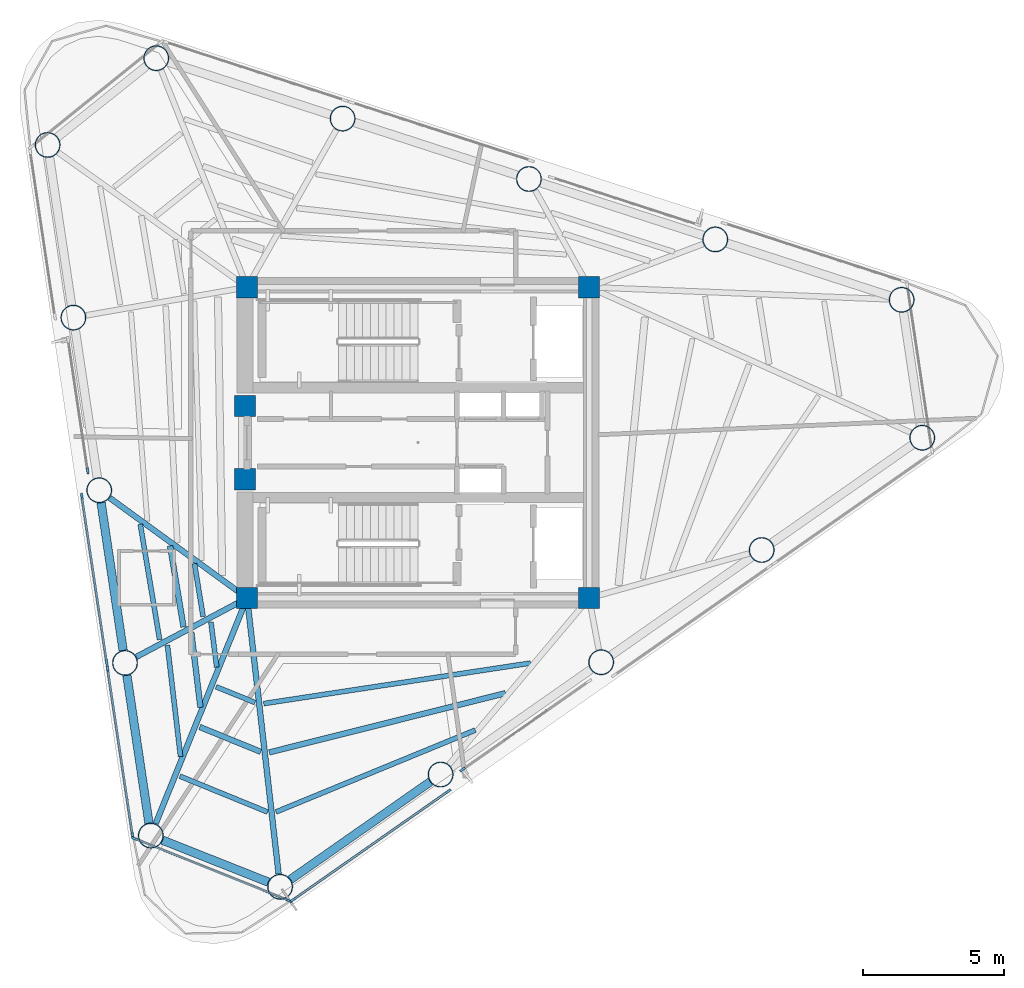
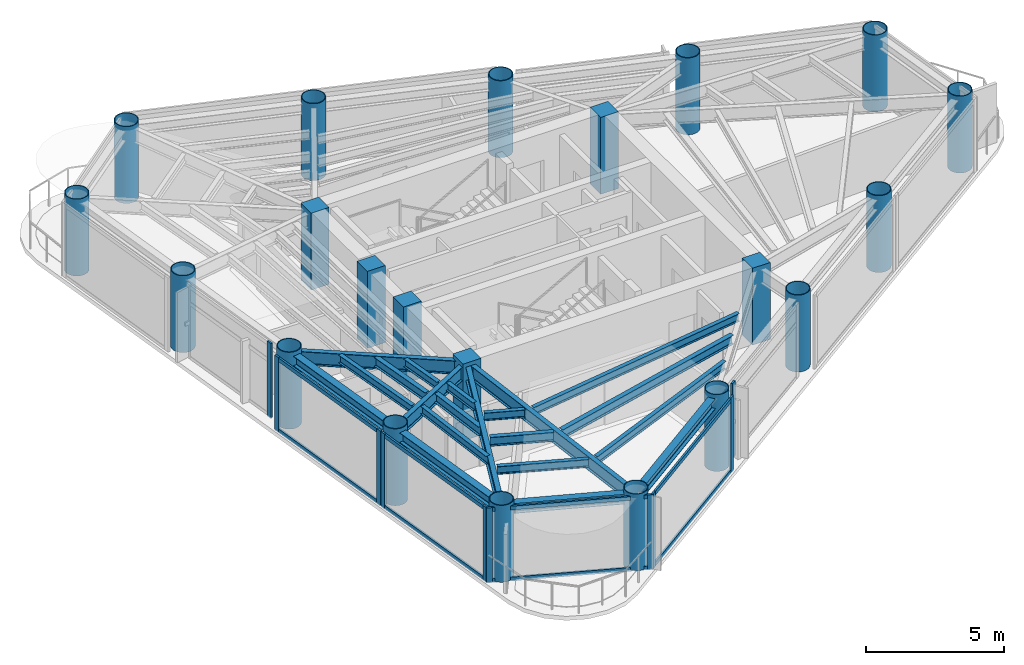
# One storey, part 1 of 10: 21 columns, 20 beams, 18 members, 6 elements without a shape of their own.
"""IFC4 building model written with IfcOpenShell, lengths in metres."""

from ifc_helpers import new_model, si_unit, direction, frame, origin, origin_2d, place, context, subcontext, project, spatial, rectangle, hollow_circle, i_section, extrude, source, transform, mapped, material, layer, layer_set, material_profile, profile_set, type_object, element, aggregate, save


model = new_model("IFC4")

# Units and contexts
model_context = context("Model", 3, precision=1e-05, world=origin(), true_north=direction((0.0, 1.0)))
body_context = subcontext(model_context, "Body", "Model", "MODEL_VIEW")
ifc_project = project(units=[si_unit("LENGTHUNIT", "METRE"), si_unit("AREAUNIT", "SQUARE_METRE"), si_unit("VOLUMEUNIT", "CUBIC_METRE"), si_unit("PLANEANGLEUNIT", "RADIAN"), si_unit("MASSUNIT", "GRAM", prefix="KILO")], contexts=[model_context])

# Site, building, storey
site_placement = place(None, origin())
site = spatial("IfcSite", under=ifc_project, at=site_placement, CompositionType="ELEMENT")
building_placement = place(site_placement, origin())
building = spatial("IfcBuilding", under=site, at=building_placement, Name="Yunling Apex Tower", CompositionType="ELEMENT")
storey_placement = place(building_placement, frame((0.0, 0.0, 277.949951171875)))
storey = spatial("IfcBuildingStorey", under=building, at=storey_placement, Name="L68", CompositionType="ELEMENT", Elevation=277.949951171875)

# Columns
ifc_material_1 = material(Name="Concrete C50", Category="concrete")
ifc_material_profile_1 = material_profile(ifc_material_1, rectangle(XDim=0.75, YDim=0.75, at=origin_2d()))
ifc_profile_set_1 = profile_set([ifc_material_profile_1], Name="Concrete C50")
column_type_1 = type_object("IfcColumnType", Name="PC-SRC-4", PredefinedType="COLUMN", material=ifc_profile_set_1)
shared_shape_1 = source(origin(), body_context, "Body", "SweptSolid", [
    extrude(rectangle(XDim=0.75, YDim=0.75, at=origin_2d()), origin(), (0.0, 0.0, 1.0), 3.400146484375),
])
for number, where, z_axis, x_axis, name in (
    (1, (-6.050048828125, -5.5, 0.0), (0.0, 0.0, 1.0), (1.0, 0.0, 0.0), "L68 Core Spine Column CC-SW"),
    (2, (6.050048828125, -5.5, 0.0), (0.0, 0.0, 1.0), (1.0, 0.0, 0.0), "L68 Core Spine Column CC-SE"),
    (3, (6.050048828125, 5.5, 0.0), (0.0, 0.0, 1.0), (1.0, 0.0, 0.0), "L68 Core Spine Column CC-NE"),
    (4, (-6.050048828125, 5.5, 0.0), (0.0, 0.0, 1.0), (1.0, 0.0, 0.0), "L68 Core Spine Column CC-NW"),
    (5, (-6.125, -1.300048828125, 0.0), (0.0, 0.0, 1.0), (1.0, 0.0, 0.0), "L68 Core West Portal Jamb Column S"),
    (6, (-6.125, 1.300048828125, 0.0), (0.0, 0.0, 1.0), (1.0, 0.0, 0.0), "L68 Core West Portal Jamb Column N"),
):
    element("IfcColumn", number, at=place(storey_placement, frame(where, z_axis=z_axis, x_axis=x_axis)), inside=storey, type_object=column_type_1, Name=name, PredefinedType="COLUMN", context=body_context, shape_type="MappedRepresentation", body=[
        mapped(shared_shape_1, transform((0.0, 0.0, 0.0), scale=1.0)),
    ])
ifc_material_2 = material(Name="Steel Q355B", Category="steel")
ifc_material_profile_2 = material_profile(ifc_material_2, hollow_circle(Radius=0.449951171875, WallThickness=0.031982421875, at=origin_2d()))
ifc_profile_set_2 = profile_set([ifc_material_profile_2], Name="Steel Q355B")
column_type_2 = type_object("IfcColumnType", Name="MC-CFST-6", PredefinedType="COLUMN", material=ifc_profile_set_2)
shared_shape_2 = source(origin(), body_context, "Body", "SweptSolid", [
    extrude(hollow_circle(Radius=0.449951171875, WallThickness=0.031982421875, at=origin_2d()), origin(), (0.0, 0.0, 1.0), 3.400146484375),
])
for number, where, z_axis, x_axis, name in (
    (7, (-4.8837890625, -15.716796875, 0.0), (0.0, 0.0, 1.0), (1.0, 0.0, 0.0), "L68 Perimeter CFST Mega-Column P01"),
    (8, (0.797119140625, -11.744873046875, 0.0), (0.0, 0.0, 1.0), (1.0, 0.0, 0.0), "L68 Perimeter CFST Mega-Column P02"),
    (9, (6.47802734375, -7.77294921875, 0.0), (0.0, 0.0, 1.0), (1.0, 0.0, 0.0), "L68 Perimeter CFST Mega-Column P03"),
    (10, (12.15869140625, -3.801025390625, 0.0), (0.0, 0.0, 1.0), (1.0, 0.0, 0.0), "L68 Perimeter CFST Mega-Column P04"),
    (11, (17.839599609375, 0.1708984375, 0.0), (0.0, 0.0, 1.0), (1.0, 0.0, 0.0), "L68 Perimeter CFST Mega-Column P05"),
    (12, (17.110107421875, 5.052490234375, 0.0), (0.0, 0.0, 1.0), (1.0, 0.0, 0.0), "L68 Perimeter CFST Mega-Column P06"),
    (13, (10.51611328125, 7.18994140625, 0.0), (0.0, 0.0, 1.0), (1.0, 0.0, 0.0), "L68 Perimeter CFST Mega-Column P07"),
    (14, (3.92236328125, 9.327392578125, 0.0), (0.0, 0.0, 1.0), (1.0, 0.0, 0.0), "L68 Perimeter CFST Mega-Column P08"),
    (15, (-2.671630859375, 11.46484375, 0.0), (0.0, 0.0, 1.0), (1.0, 0.0, 0.0), "L68 Perimeter CFST Mega-Column P09"),
    (16, (-9.265625, 13.602294921875, 0.0), (0.0, 0.0, 1.0), (1.0, 0.0, 0.0), "L68 Perimeter CFST Mega-Column P10"),
    (17, (-13.10986328125, 10.532470703125, 0.0), (0.0, 0.0, 1.0), (1.0, 0.0, 0.0), "L68 Perimeter CFST Mega-Column P11"),
    (18, (-12.19677734375, 4.423095703125, 0.0), (0.0, 0.0, 1.0), (1.0, 0.0, 0.0), "L68 Perimeter CFST Mega-Column P12"),
    (19, (-11.28369140625, -1.686279296875, 0.0), (0.0, 0.0, 1.0), (1.0, 0.0, 0.0), "L68 Perimeter CFST Mega-Column P13"),
    (20, (-10.37060546875, -7.7958984375, 0.0), (0.0, 0.0, 1.0), (1.0, 0.0, 0.0), "L68 Perimeter CFST Mega-Column P14"),
    (21, (-9.45751953125, -13.9052734375, 0.0), (0.0, 0.0, 1.0), (1.0, 0.0, 0.0), "L68 Perimeter CFST Mega-Column P15"),
):
    element("IfcColumn", number, at=place(storey_placement, frame(where, z_axis=z_axis, x_axis=x_axis)), inside=storey, type_object=column_type_2, Name=name, PredefinedType="COLUMN", context=body_context, shape_type="MappedRepresentation", body=[
        mapped(shared_shape_2, transform((0.0, 0.0, 0.0), scale=1.0)),
    ])

# Beams
ifc_material_profile_3 = material_profile(ifc_material_2, i_section(OverallWidth=0.300048828125, OverallDepth=0.43994140625, WebThickness=0.010986328125, FlangeThickness=0.01806640625, FilletRadius=0.02197265625, at=origin_2d()))
ifc_profile_set_3 = profile_set([ifc_material_profile_3], Name="Steel Q355B")
beam_type_1 = type_object("IfcBeamType", Name="BP-SPN-3", PredefinedType="SPANDREL", material=ifc_profile_set_3)
shared_shape_3 = source(origin(), body_context, "Body", "SweptSolid", [
    extrude(i_section(OverallWidth=0.300048828125, OverallDepth=0.43994140625, WebThickness=0.010986328125, FlangeThickness=0.01806640625, FilletRadius=0.02197265625, at=origin_2d()), origin(), (0.0, 0.0, 1.0), 6.043701171875),
])
beam_1_placement = place(storey_placement, frame((-4.52001953125, -15.46240234375, 3.0), z_axis=(0.819546828705, 0.5730122124, 0.0), x_axis=(-0.5730122124, 0.819546828705, 0.0)))
element("IfcBeam", 22, at=beam_1_placement, inside=storey, type_object=beam_type_1, Name="L68 Perimeter Spandrel Beam 1", PredefinedType="SPANDREL", context=body_context, shape_type="MappedRepresentation", body=[
    mapped(shared_shape_3, transform((0.0, 0.0, 0.0), scale=1.0)),
])
shared_shape_4 = source(origin(), body_context, "Body", "SweptSolid", [
    extrude(i_section(OverallWidth=0.300048828125, OverallDepth=0.43994140625, WebThickness=0.010986328125, FlangeThickness=0.01806640625, FilletRadius=0.02197265625, at=origin_2d()), origin(), (0.0, 0.0, 1.0), 5.289306640625),
])
for number, where, z_axis, x_axis, name in (
    (23, (-11.218017578125, -2.12548828125, 3.0), (0.147796471114, -0.989017797174, 0.0), (0.989017797174, 0.147796471114, 0.0), "L68 Perimeter Spandrel Beam 13"),
    (24, (-10.304931640625, -8.23486328125, 3.0), (0.147796471114, -0.989017797174, 0.0), (0.989017797174, 0.147796471114, 0.0), "L68 Perimeter Spandrel Beam 14"),
):
    element("IfcBeam", number, at=place(storey_placement, frame(where, z_axis=z_axis, x_axis=x_axis)), inside=storey, type_object=beam_type_1, Name=name, PredefinedType="SPANDREL", context=body_context, shape_type="MappedRepresentation", body=[
        mapped(shared_shape_4, transform((0.0, 0.0, 0.0), scale=1.0)),
    ])
shared_shape_5 = source(origin(), body_context, "Body", "SweptSolid", [
    extrude(i_section(OverallWidth=0.300048828125, OverallDepth=0.43994140625, WebThickness=0.010986328125, FlangeThickness=0.01806640625, FilletRadius=0.02197265625, at=origin_2d()), origin(), (0.0, 0.0, 1.0), 4.03173828125),
])
beam_2_placement = place(storey_placement, frame((-9.044921875, -14.068603515625, 3.0), z_axis=(0.92970771396, -0.368298203368, 0.0), x_axis=(0.368298203368, 0.92970771396, 0.0)))
element("IfcBeam", 25, at=beam_2_placement, inside=storey, type_object=beam_type_1, Name="L68 Perimeter Spandrel Beam 15", PredefinedType="SPANDREL", context=body_context, shape_type="MappedRepresentation", body=[
    mapped(shared_shape_5, transform((0.0, 0.0, 0.0), scale=1.0)),
])
ifc_material_profile_4 = material_profile(ifc_material_2, i_section(OverallWidth=0.199951171875, OverallDepth=0.60009765625, WebThickness=0.010986328125, FlangeThickness=0.01708984375, FilletRadius=0.02197265625, at=origin_2d()))
ifc_profile_set_4 = profile_set([ifc_material_profile_4], Name="Steel Q355B")
beam_type_2 = type_object("IfcBeamType", Name="BG-PRI-5", PredefinedType="USERDEFINED", material=ifc_profile_set_4)
shared_shape_6 = source(origin(), body_context, "Body", "SweptSolid", [
    extrude(i_section(OverallWidth=0.199951171875, OverallDepth=0.60009765625, WebThickness=0.010986328125, FlangeThickness=0.01708984375, FilletRadius=0.02197265625, at=origin_2d()), origin(), (0.0, 0.0, 1.0), 9.745361328125),
])
beam_3_placement = place(storey_placement, frame((-4.935791015625, -15.261962890625, 2.920166015625), z_axis=(-0.11341163891, 0.993548086486, 0.0), x_axis=(-0.993548086486, -0.11341163891, 0.0)))
element("IfcBeam", 26, at=beam_3_placement, inside=storey, type_object=beam_type_2, Name="L68 Radial Primary Girder R01", ObjectType="GIRDER", PredefinedType="USERDEFINED", context=body_context, shape_type="MappedRepresentation", body=[
    mapped(shared_shape_6, transform((0.0, 0.0, 0.0), scale=1.0)),
])
shared_shape_7 = source(origin(), body_context, "Body", "SweptSolid", [
    extrude(i_section(OverallWidth=0.199951171875, OverallDepth=0.60009765625, WebThickness=0.010986328125, FlangeThickness=0.01708984375, FilletRadius=0.02197265625, at=origin_2d()), origin(), (0.0, 0.0, 1.0), 5.937744140625),
])
beam_4_placement = place(storey_placement, frame((-10.91357421875, -1.9560546875, 2.920166015625), z_axis=(0.808193442209, -0.588917107894, 0.0), x_axis=(0.588917107894, 0.808193442209, 0.0)))
element("IfcBeam", 27, at=beam_4_placement, inside=storey, type_object=beam_type_2, Name="L68 Radial Primary Girder R13", ObjectType="GIRDER", PredefinedType="USERDEFINED", context=body_context, shape_type="MappedRepresentation", body=[
    mapped(shared_shape_7, transform((0.0, 0.0, 0.0), scale=1.0)),
])
shared_shape_8 = source(origin(), body_context, "Body", "SweptSolid", [
    extrude(i_section(OverallWidth=0.199951171875, OverallDepth=0.60009765625, WebThickness=0.010986328125, FlangeThickness=0.01708984375, FilletRadius=0.02197265625, at=origin_2d()), origin(), (0.0, 0.0, 1.0), 4.354736328125),
])
beam_5_placement = place(storey_placement, frame((-9.96630859375, -7.580810546875, 2.920166015625), z_axis=(0.883098298021, 0.469188017784, 0.0), x_axis=(-0.469188017784, 0.883098298021, 0.0)))
element("IfcBeam", 28, at=beam_5_placement, inside=storey, type_object=beam_type_2, Name="L68 Radial Primary Girder R14", ObjectType="GIRDER", PredefinedType="USERDEFINED", context=body_context, shape_type="MappedRepresentation", body=[
    mapped(shared_shape_8, transform((0.0, 0.0, 0.0), scale=1.0)),
])
shared_shape_9 = source(origin(), body_context, "Body", "SweptSolid", [
    extrude(i_section(OverallWidth=0.199951171875, OverallDepth=0.60009765625, WebThickness=0.010986328125, FlangeThickness=0.01708984375, FilletRadius=0.02197265625, at=origin_2d()), origin(), (0.0, 0.0, 1.0), 8.531494140625),
])
beam_6_placement = place(storey_placement, frame((-9.285400390625, -13.480712890625, 2.920166015625), z_axis=(0.375703780252, 0.926739806798, 0.0), x_axis=(-0.926739806798, 0.375703780252, 0.0)))
element("IfcBeam", 29, at=beam_6_placement, inside=storey, type_object=beam_type_2, Name="L68 Radial Primary Girder R15", ObjectType="GIRDER", PredefinedType="USERDEFINED", context=body_context, shape_type="MappedRepresentation", body=[
    mapped(shared_shape_9, transform((0.0, 0.0, 0.0), scale=1.0)),
])
ifc_material_profile_5 = material_profile(ifc_material_2, i_section(OverallWidth=0.199951171875, OverallDepth=0.39990234375, WebThickness=0.008056640625, FlangeThickness=0.012939453125, FilletRadius=0.01611328125, at=origin_2d()))
ifc_profile_set_5 = profile_set([ifc_material_profile_5], Name="Steel Q355B")
beam_type_3 = type_object("IfcBeamType", Name="BS-SEC-4", PredefinedType="BEAM", material=ifc_profile_set_5)
shared_shape_10 = source(origin(), body_context, "Body", "SweptSolid", [
    extrude(i_section(OverallWidth=0.199951171875, OverallDepth=0.39990234375, WebThickness=0.008056640625, FlangeThickness=0.012939453125, FilletRadius=0.01611328125, at=origin_2d()), origin(), (0.0, 0.0, 1.0), 8.62109375),
])
beam_7_placement = place(storey_placement, frame((-5.266845703125, -10.962646484375, 3.02001953125), z_axis=(0.96999740229, 0.243115280374, 0.0), x_axis=(-0.243115280374, 0.96999740229, 0.0)))
element("IfcBeam", 30, at=beam_7_placement, inside=storey, type_object=beam_type_3, Name="L68 Composite Floor Beam BS-1", PredefinedType="BEAM", context=body_context, shape_type="MappedRepresentation", body=[
    mapped(shared_shape_10, transform((0.0, 0.0, 0.0), scale=1.0)),
])
ifc_material_profile_6 = material_profile(ifc_material_2, i_section(OverallWidth=0.175048828125, OverallDepth=0.35009765625, WebThickness=0.007080078125, FlangeThickness=0.010986328125, FilletRadius=0.013916015625, at=origin_2d()))
ifc_profile_set_6 = profile_set([ifc_material_profile_6], Name="Steel Q355B")
beam_type_4 = type_object("IfcBeamType", Name="BJ-JST-1", PredefinedType="JOIST", material=ifc_profile_set_6)
shared_shape_11 = source(origin(), body_context, "Body", "SweptSolid", [
    extrude(i_section(OverallWidth=0.175048828125, OverallDepth=0.35009765625, WebThickness=0.007080078125, FlangeThickness=0.010986328125, FilletRadius=0.013916015625, at=origin_2d()), origin(), (0.0, 0.0, 1.0), 7.626953125),
])
beam_8_placement = place(storey_placement, frame((-5.031005859375, -13.071044921875, 3.045166015625), z_axis=(0.924936429691, 0.380121823934, 0.0), x_axis=(-0.380121823934, 0.924936429691, 0.0)))
element("IfcBeam", 31, at=beam_8_placement, inside=storey, type_object=beam_type_4, Name="L68 Composite Floor Joist BJ1-1", PredefinedType="JOIST", context=body_context, shape_type="MappedRepresentation", body=[
    mapped(shared_shape_11, transform((0.0, 0.0, 0.0), scale=1.0)),
])
shared_shape_12 = source(origin(), body_context, "Body", "SweptSolid", [
    extrude(i_section(OverallWidth=0.175048828125, OverallDepth=0.35009765625, WebThickness=0.007080078125, FlangeThickness=0.010986328125, FilletRadius=0.013916015625, at=origin_2d()), origin(), (0.0, 0.0, 1.0), 9.546630859375),
])
beam_9_placement = place(storey_placement, frame((-5.462646484375, -9.23486328125, 3.045166015625), z_axis=(0.988668394837, 0.150115972004, 0.0), x_axis=(-0.150115972004, 0.988668394837, 0.0)))
element("IfcBeam", 32, at=beam_9_placement, inside=storey, type_object=beam_type_4, Name="L68 Composite Floor Joist BJ3-1", PredefinedType="JOIST", context=body_context, shape_type="MappedRepresentation", body=[
    mapped(shared_shape_12, transform((0.0, 0.0, 0.0), scale=1.0)),
])
shared_shape_13 = source(origin(), body_context, "Body", "SweptSolid", [
    extrude(i_section(OverallWidth=0.199951171875, OverallDepth=0.39990234375, WebThickness=0.008056640625, FlangeThickness=0.012939453125, FilletRadius=0.01611328125, at=origin_2d()), origin(), (0.0, 0.0, 1.0), 2.910400390625),
])
beam_10_placement = place(storey_placement, frame((-8.77587890625, -3.652587890625, 3.02001953125), z_axis=(0.163405899616, -0.986558924733, 0.0), x_axis=(0.986558924733, 0.163405899616, 0.0)))
element("IfcBeam", 33, at=beam_10_placement, inside=storey, type_object=beam_type_3, Name="L68 Composite Floor Beam BS-13", PredefinedType="BEAM", context=body_context, shape_type="MappedRepresentation", body=[
    mapped(shared_shape_13, transform((0.0, 0.0, 0.0), scale=1.0)),
])
shared_shape_14 = source(origin(), body_context, "Body", "SweptSolid", [
    extrude(i_section(OverallWidth=0.175048828125, OverallDepth=0.35009765625, WebThickness=0.007080078125, FlangeThickness=0.010986328125, FilletRadius=0.013916015625, at=origin_2d()), origin(), (0.0, 0.0, 1.0), 4.14697265625),
])
beam_11_placement = place(storey_placement, frame((-9.831298828125, -2.88330078125, 3.045166015625), z_axis=(0.165134037528, -0.986271133943, 0.0), x_axis=(0.986271133943, 0.165134037528, 0.0)))
element("IfcBeam", 34, at=beam_11_placement, inside=storey, type_object=beam_type_4, Name="L68 Composite Floor Joist BJ1-13", PredefinedType="JOIST", context=body_context, shape_type="MappedRepresentation", body=[
    mapped(shared_shape_14, transform((0.0, 0.0, 0.0), scale=1.0)),
])
shared_shape_15 = source(origin(), body_context, "Body", "SweptSolid", [
    extrude(i_section(OverallWidth=0.175048828125, OverallDepth=0.35009765625, WebThickness=0.007080078125, FlangeThickness=0.010986328125, FilletRadius=0.013916015625, at=origin_2d()), origin(), (0.0, 0.0, 1.0), 1.898681640625),
])
beam_12_placement = place(storey_placement, frame((-7.91259765625, -4.281982421875, 3.045166015625), z_axis=(0.160602772894, -0.987019123087, 0.0), x_axis=(0.987019123087, 0.160602772894, 0.0)))
element("IfcBeam", 35, at=beam_12_placement, inside=storey, type_object=beam_type_4, Name="L68 Composite Floor Joist BJ3-13", PredefinedType="JOIST", context=body_context, shape_type="MappedRepresentation", body=[
    mapped(shared_shape_15, transform((0.0, 0.0, 0.0), scale=1.0)),
])
shared_shape_16 = source(origin(), body_context, "Body", "SweptSolid", [
    extrude(i_section(OverallWidth=0.199951171875, OverallDepth=0.39990234375, WebThickness=0.008056640625, FlangeThickness=0.012939453125, FilletRadius=0.01611328125, at=origin_2d()), origin(), (0.0, 0.0, 1.0), 2.670166015625),
])
beam_13_placement = place(storey_placement, frame((-8.024169921875, -6.718017578125, 3.02001953125), z_axis=(0.12060169382, -0.992700977862, 0.0), x_axis=(0.992700977862, 0.12060169382, 0.0)))
element("IfcBeam", 36, at=beam_13_placement, inside=storey, type_object=beam_type_3, Name="L68 Composite Floor Beam BS-14", PredefinedType="BEAM", context=body_context, shape_type="MappedRepresentation", body=[
    mapped(shared_shape_16, transform((0.0, 0.0, 0.0), scale=1.0)),
])
shared_shape_17 = source(origin(), body_context, "Body", "SweptSolid", [
    extrude(i_section(OverallWidth=0.175048828125, OverallDepth=0.35009765625, WebThickness=0.007080078125, FlangeThickness=0.010986328125, FilletRadius=0.013916015625, at=origin_2d()), origin(), (0.0, 0.0, 1.0), 3.96728515625),
])
beam_14_placement = place(storey_placement, frame((-8.87060546875, -7.167724609375, 3.045166015625), z_axis=(0.116919795798, -0.993141360205, 0.0), x_axis=(0.993141360205, 0.116919795798, 0.0)))
element("IfcBeam", 37, at=beam_14_placement, inside=storey, type_object=beam_type_4, Name="L68 Composite Floor Joist BJ1-14", PredefinedType="JOIST", context=body_context, shape_type="MappedRepresentation", body=[
    mapped(shared_shape_17, transform((0.0, 0.0, 0.0), scale=1.0)),
])
shared_shape_18 = source(origin(), body_context, "Body", "SweptSolid", [
    extrude(i_section(OverallWidth=0.175048828125, OverallDepth=0.35009765625, WebThickness=0.007080078125, FlangeThickness=0.010986328125, FilletRadius=0.013916015625, at=origin_2d()), origin(), (0.0, 0.0, 1.0), 1.608642578125),
])
beam_15_placement = place(storey_placement, frame((-7.330810546875, -6.35009765625, 3.045166015625), z_axis=(0.12719111786, -0.99187822818, 0.0), x_axis=(0.99187822818, 0.12719111786, 0.0)))
element("IfcBeam", 38, at=beam_15_placement, inside=storey, type_object=beam_type_4, Name="L68 Composite Floor Joist BJ3-14", PredefinedType="JOIST", context=body_context, shape_type="MappedRepresentation", body=[
    mapped(shared_shape_18, transform((0.0, 0.0, 0.0), scale=1.0)),
])
shared_shape_19 = source(origin(), body_context, "Body", "SweptSolid", [
    extrude(i_section(OverallWidth=0.199951171875, OverallDepth=0.39990234375, WebThickness=0.008056640625, FlangeThickness=0.012939453125, FilletRadius=0.01611328125, at=origin_2d()), origin(), (0.0, 0.0, 1.0), 2.3291015625),
])
beam_16_placement = place(storey_placement, frame((-7.72705078125, -10.062255859375, 3.02001953125), z_axis=(0.926020445617, -0.377473355747, 0.0), x_axis=(0.377473355747, 0.926020445617, 0.0)))
element("IfcBeam", 39, at=beam_16_placement, inside=storey, type_object=beam_type_3, Name="L68 Composite Floor Beam BS-15", PredefinedType="BEAM", context=body_context, shape_type="MappedRepresentation", body=[
    mapped(shared_shape_19, transform((0.0, 0.0, 0.0), scale=1.0)),
])
shared_shape_20 = source(origin(), body_context, "Body", "SweptSolid", [
    extrude(i_section(OverallWidth=0.175048828125, OverallDepth=0.35009765625, WebThickness=0.007080078125, FlangeThickness=0.010986328125, FilletRadius=0.013916015625, at=origin_2d()), origin(), (0.0, 0.0, 1.0), 3.354736328125),
])
beam_17_placement = place(storey_placement, frame((-8.43212890625, -11.802001953125, 3.045166015625), z_axis=(0.925654732165, -0.378369286306, 0.0), x_axis=(0.378369286306, 0.925654732165, 0.0)))
element("IfcBeam", 40, at=beam_17_placement, inside=storey, type_object=beam_type_4, Name="L68 Composite Floor Joist BJ1-15", PredefinedType="JOIST", context=body_context, shape_type="MappedRepresentation", body=[
    mapped(shared_shape_20, transform((0.0, 0.0, 0.0), scale=1.0)),
])
shared_shape_21 = source(origin(), body_context, "Body", "SweptSolid", [
    extrude(i_section(OverallWidth=0.175048828125, OverallDepth=0.35009765625, WebThickness=0.007080078125, FlangeThickness=0.010986328125, FilletRadius=0.013916015625, at=origin_2d()), origin(), (0.0, 0.0, 1.0), 1.48974609375),
])
beam_18_placement = place(storey_placement, frame((-7.14990234375, -8.638916015625, 3.045166015625), z_axis=(0.926714592409, -0.375765970008, 0.0), x_axis=(0.375765970008, 0.926714592409, 0.0)))
element("IfcBeam", 41, at=beam_18_placement, inside=storey, type_object=beam_type_4, Name="L68 Composite Floor Joist BJ3-15", PredefinedType="JOIST", context=body_context, shape_type="MappedRepresentation", body=[
    mapped(shared_shape_21, transform((0.0, 0.0, 0.0), scale=1.0)),
])

# Curtain wall, members
ifc_material_3 = material(Name="Bronze anodised aluminium", Category="aluminium")
ifc_layer = layer(ifc_material_3, 0.219970703125)
ifc_layer_set = layer_set([ifc_layer], Name="Bronze anodised aluminium")
curtain_wall_type = type_object("IfcCurtainWallType", Name="CW-SYS-4", PredefinedType="NOTDEFINED", material=ifc_layer_set)
curtain_wall_1_placement = place(storey_placement, origin())
curtain_wall_1 = element("IfcCurtainWall", 42, at=curtain_wall_1_placement, inside=storey, type_object=curtain_wall_type, Name="CW-L68-F1-B1", PredefinedType="NOTDEFINED")
ifc_material_profile_7 = material_profile(ifc_material_3, rectangle(XDim=0.080078125, YDim=0.219970703125, at=origin_2d()))
ifc_profile_set_7 = profile_set([ifc_material_profile_7], Name="Bronze anodised aluminium")
member_type_1 = type_object("IfcMemberType", Name="CW-MUL-4", PredefinedType="MULLION", material=ifc_profile_set_7)
shared_shape_22 = source(origin(), body_context, "Body", "SweptSolid", [
    extrude(rectangle(XDim=0.080078125, YDim=0.219970703125, at=origin_2d()), origin(), (0.0, 0.0, 1.0), 3.320068359375),
])
member_1_placement = place(storey_placement, frame((-4.418701171875, -16.172607421875, -0.050048828125), z_axis=(0.0, 0.0, 1.0), x_axis=(-0.573000403744, 0.819555084976, 0.0)))
member_1 = element("IfcMember", 43, at=member_1_placement, type_object=member_type_1, Name="CW-SYS-4 mullion 1", PredefinedType="MULLION", context=body_context, shape_type="MappedRepresentation", body=[
    mapped(shared_shape_22, transform((0.0, 0.0, 0.0), scale=1.0)),
])
member_2_placement = place(storey_placement, frame((1.0654296875, -12.338134765625, -0.050048828125), z_axis=(0.0, 0.0, 1.0), x_axis=(-0.573000403744, 0.819555084976, 0.0)))
member_2 = element("IfcMember", 44, at=member_2_placement, type_object=member_type_1, Name="CW-SYS-4 mullion 2", PredefinedType="MULLION", context=body_context, shape_type="MappedRepresentation", body=[
    mapped(shared_shape_22, transform((0.0, 0.0, 0.0), scale=1.0)),
])

# Curtain wall, member
curtain_wall_2_placement = place(storey_placement, origin())
curtain_wall_2 = element("IfcCurtainWall", 45, at=curtain_wall_2_placement, inside=storey, type_object=curtain_wall_type, Name="CW-L68-F1-B2", PredefinedType="NOTDEFINED")
member_3_placement = place(storey_placement, frame((1.575439453125, -11.56689453125, -0.050048828125), z_axis=(0.0, 0.0, 1.0), x_axis=(-0.57299879219, 0.819556211708, 0.0)))
member_3 = element("IfcMember", 46, at=member_3_placement, type_object=member_type_1, Name="CW-SYS-4 mullion 1", PredefinedType="MULLION", context=body_context, shape_type="MappedRepresentation", body=[
    mapped(shared_shape_22, transform((0.0, 0.0, 0.0), scale=1.0)),
])
aggregate(curtain_wall_2, [member_3])

curtain_wall_3_placement = place(storey_placement, origin())
curtain_wall_3 = element("IfcCurtainWall", 47, at=curtain_wall_3_placement, inside=storey, type_object=curtain_wall_type, Name="CW-L68-F3-B2", PredefinedType="NOTDEFINED")
member_4_placement = place(storey_placement, frame((-11.689697265625, -0.998779296875, -0.050048828125), z_axis=(0.0, 0.0, 1.0), x_axis=(0.989016661745, 0.147804068926, 0.0)))
member_4 = element("IfcMember", 48, at=member_4_placement, type_object=member_type_1, Name="CW-SYS-4 mullion 2", PredefinedType="MULLION", context=body_context, shape_type="MappedRepresentation", body=[
    mapped(shared_shape_22, transform((0.0, 0.0, 0.0), scale=1.0)),
])
aggregate(curtain_wall_3, [member_4])

# Curtain wall, members
curtain_wall_4_placement = place(storey_placement, origin())
curtain_wall_4 = element("IfcCurtainWall", 49, at=curtain_wall_4_placement, inside=storey, type_object=curtain_wall_type, Name="CW-L68-F3-B3", PredefinedType="NOTDEFINED")
member_5_placement = place(storey_placement, frame((-11.89892578125, -1.899658203125, -0.050048828125), z_axis=(0.0, 0.0, 1.0), x_axis=(0.989016174309, 0.147807330522, 0.0)))
member_5 = element("IfcMember", 50, at=member_5_placement, type_object=member_type_1, Name="CW-SYS-4 mullion 1", PredefinedType="MULLION", context=body_context, shape_type="MappedRepresentation", body=[
    mapped(shared_shape_22, transform((0.0, 0.0, 0.0), scale=1.0)),
])
member_6_placement = place(storey_placement, frame((-11.021240234375, -7.771728515625, -0.050048828125), z_axis=(0.0, 0.0, 1.0), x_axis=(0.989016174309, 0.147807330522, 0.0)))
member_6 = element("IfcMember", 51, at=member_6_placement, type_object=member_type_1, Name="CW-SYS-4 mullion 2", PredefinedType="MULLION", context=body_context, shape_type="MappedRepresentation", body=[
    mapped(shared_shape_22, transform((0.0, 0.0, 0.0), scale=1.0)),
])

curtain_wall_5_placement = place(storey_placement, origin())
curtain_wall_5 = element("IfcCurtainWall", 52, at=curtain_wall_5_placement, inside=storey, type_object=curtain_wall_type, Name="CW-L68-F3-B4", PredefinedType="NOTDEFINED")
member_7_placement = place(storey_placement, frame((-10.98583984375, -8.009033203125, -0.050048828125), z_axis=(0.0, 0.0, 1.0), x_axis=(0.989018603576, 0.147791074763, 0.0)))
member_7 = element("IfcMember", 53, at=member_7_placement, type_object=member_type_1, Name="CW-SYS-4 mullion 1", PredefinedType="MULLION", context=body_context, shape_type="MappedRepresentation", body=[
    mapped(shared_shape_22, transform((0.0, 0.0, 0.0), scale=1.0)),
])
member_8_placement = place(storey_placement, frame((-10.1083984375, -13.881103515625, -0.050048828125), z_axis=(0.0, 0.0, 1.0), x_axis=(0.989018603576, 0.147791074763, 0.0)))
member_8 = element("IfcMember", 54, at=member_8_placement, type_object=member_type_1, Name="CW-SYS-4 mullion 2", PredefinedType="MULLION", context=body_context, shape_type="MappedRepresentation", body=[
    mapped(shared_shape_22, transform((0.0, 0.0, 0.0), scale=1.0)),
])

curtain_wall_6_placement = place(storey_placement, origin())
curtain_wall_6 = element("IfcCurtainWall", 55, at=curtain_wall_6_placement, inside=storey, type_object=curtain_wall_type, Name="CW-L68-CRN3", PredefinedType="NOTDEFINED")
member_9_placement = place(storey_placement, frame((-10.03369140625, -14.01171875, -0.050048828125), z_axis=(0.0, 0.0, 1.0), x_axis=(0.373009384078, 0.927827569859, 0.0)))
member_9 = element("IfcMember", 56, at=member_9_placement, type_object=member_type_1, Name="CW-SYS-4 mullion 1", PredefinedType="MULLION", context=body_context, shape_type="MappedRepresentation", body=[
    mapped(shared_shape_22, transform((0.0, 0.0, 0.0), scale=1.0)),
])
member_10_placement = place(storey_placement, frame((-4.565673828125, -16.2099609375, -0.050048828125), z_axis=(0.0, 0.0, 1.0), x_axis=(0.373009384078, 0.927827569859, 0.0)))
member_10 = element("IfcMember", 57, at=member_10_placement, type_object=member_type_1, Name="CW-SYS-4 mullion 2", PredefinedType="MULLION", context=body_context, shape_type="MappedRepresentation", body=[
    mapped(shared_shape_22, transform((0.0, 0.0, 0.0), scale=1.0)),
])

# Member
ifc_material_profile_8 = material_profile(ifc_material_3, rectangle(XDim=0.080078125, YDim=0.169921875, at=origin_2d()))
ifc_profile_set_8 = profile_set([ifc_material_profile_8], Name="Bronze anodised aluminium")
member_type_2 = type_object("IfcMemberType", Name="CW-TRN-4", PredefinedType="USERDEFINED", material=ifc_profile_set_8)
shared_shape_23 = source(origin(), body_context, "Body", "SweptSolid", [
    extrude(rectangle(XDim=0.080078125, YDim=0.169921875, at=origin_2d()), origin(), (0.0, 0.0, 1.0), 6.61962890625),
])
member_11_placement = place(storey_placement, frame((-4.389404296875, -16.15185546875, 0.0400390625), z_axis=(0.819567916002, 0.572982051255, 0.0), x_axis=(-0.572982051255, 0.819567916002, 0.0)))
member_11 = element("IfcMember", 58, at=member_11_placement, type_object=member_type_2, Name="CW-SYS-4 transom 1.1", ObjectType="TRANSOM", PredefinedType="USERDEFINED", context=body_context, shape_type="MappedRepresentation", body=[
    mapped(shared_shape_23, transform((0.0, 0.0, 0.0), scale=1.0)),
])

member_12_placement = place(storey_placement, frame((-4.389404296875, -16.15185546875, 3.179931640625), z_axis=(0.819567916002, 0.572982051255, 0.0), x_axis=(-0.572982051255, 0.819567916002, 0.0)))
member_12 = element("IfcMember", 59, at=member_12_placement, type_object=member_type_2, Name="CW-SYS-4 transom 1.2", ObjectType="TRANSOM", PredefinedType="USERDEFINED", context=body_context, shape_type="MappedRepresentation", body=[
    mapped(shared_shape_23, transform((0.0, 0.0, 0.0), scale=1.0)),
])

aggregate(curtain_wall_1, [member_1, member_2, member_11, member_12])

shared_shape_24 = source(origin(), body_context, "Body", "SweptSolid", [
    extrude(rectangle(XDim=0.080078125, YDim=0.169921875, at=origin_2d()), origin(), (0.0, 0.0, 1.0), 5.8212890625),
])
member_13_placement = place(storey_placement, frame((-10.000244140625, -14.025146484375, 0.0400390625), z_axis=(0.927827385224, -0.373009843339, 0.0), x_axis=(0.373009843339, 0.927827385224, 0.0)))
member_13 = element("IfcMember", 60, at=member_13_placement, type_object=member_type_2, Name="CW-SYS-4 transom 1.1", ObjectType="TRANSOM", PredefinedType="USERDEFINED", context=body_context, shape_type="MappedRepresentation", body=[
    mapped(shared_shape_24, transform((0.0, 0.0, 0.0), scale=1.0)),
])

member_14_placement = place(storey_placement, frame((-10.000244140625, -14.025146484375, 3.179931640625), z_axis=(0.927827385224, -0.373009843339, 0.0), x_axis=(0.373009843339, 0.927827385224, 0.0)))
member_14 = element("IfcMember", 61, at=member_14_placement, type_object=member_type_2, Name="CW-SYS-4 transom 1.2", ObjectType="TRANSOM", PredefinedType="USERDEFINED", context=body_context, shape_type="MappedRepresentation", body=[
    mapped(shared_shape_24, transform((0.0, 0.0, 0.0), scale=1.0)),
])

aggregate(curtain_wall_6, [member_9, member_10, member_13, member_14])

shared_shape_25 = source(origin(), body_context, "Body", "SweptSolid", [
    extrude(rectangle(XDim=0.080078125, YDim=0.169921875, at=origin_2d()), origin(), (0.0, 0.0, 1.0), 5.865234375),
])
member_15_placement = place(storey_placement, frame((-11.8935546875, -1.935302734375, 0.0400390625), z_axis=(0.147811211092, -0.989015594354, 0.0), x_axis=(0.989015594354, 0.147811211092, 0.0)))
member_15 = element("IfcMember", 62, at=member_15_placement, type_object=member_type_2, Name="CW-SYS-4 transom 1.1", ObjectType="TRANSOM", PredefinedType="USERDEFINED", context=body_context, shape_type="MappedRepresentation", body=[
    mapped(shared_shape_25, transform((0.0, 0.0, 0.0), scale=1.0)),
])

member_16_placement = place(storey_placement, frame((-11.8935546875, -1.935302734375, 3.179931640625), z_axis=(0.147811211092, -0.989015594354, 0.0), x_axis=(0.989015594354, 0.147811211092, 0.0)))
member_16 = element("IfcMember", 63, at=member_16_placement, type_object=member_type_2, Name="CW-SYS-4 transom 1.2", ObjectType="TRANSOM", PredefinedType="USERDEFINED", context=body_context, shape_type="MappedRepresentation", body=[
    mapped(shared_shape_25, transform((0.0, 0.0, 0.0), scale=1.0)),
])

aggregate(curtain_wall_4, [member_5, member_6, member_15, member_16])

member_17_placement = place(storey_placement, frame((-10.98046875, -8.044677734375, 0.0400390625), z_axis=(0.147811211092, -0.989015594354, 0.0), x_axis=(0.989015594354, 0.147811211092, 0.0)))
member_17 = element("IfcMember", 64, at=member_17_placement, type_object=member_type_2, Name="CW-SYS-4 transom 1.1", ObjectType="TRANSOM", PredefinedType="USERDEFINED", context=body_context, shape_type="MappedRepresentation", body=[
    mapped(shared_shape_25, transform((0.0, 0.0, 0.0), scale=1.0)),
])

member_18_placement = place(storey_placement, frame((-10.98046875, -8.044677734375, 3.179931640625), z_axis=(0.147811211092, -0.989015594354, 0.0), x_axis=(0.989015594354, 0.147811211092, 0.0)))
member_18 = element("IfcMember", 65, at=member_18_placement, type_object=member_type_2, Name="CW-SYS-4 transom 1.2", ObjectType="TRANSOM", PredefinedType="USERDEFINED", context=body_context, shape_type="MappedRepresentation", body=[
    mapped(shared_shape_25, transform((0.0, 0.0, 0.0), scale=1.0)),
])

aggregate(curtain_wall_5, [member_7, member_8, member_17, member_18])

save(model, "model.ifc")
